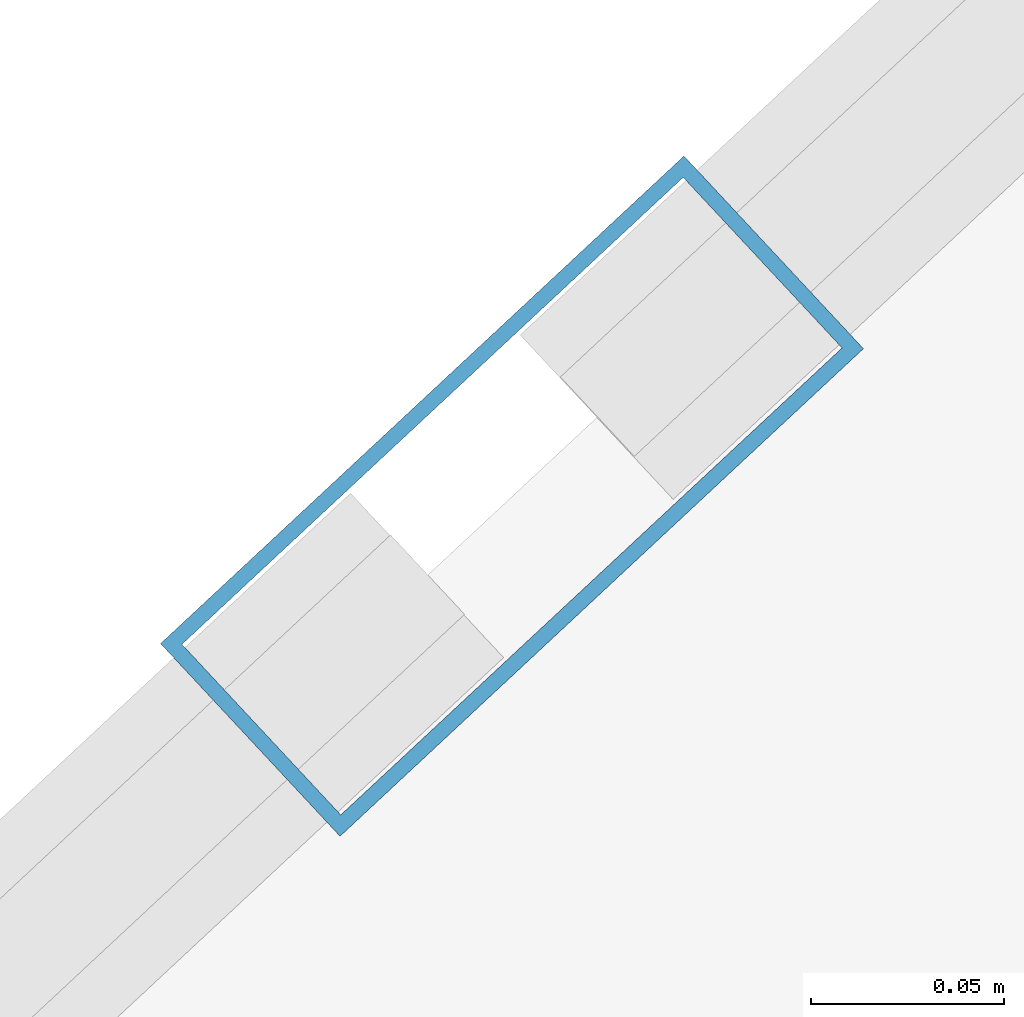
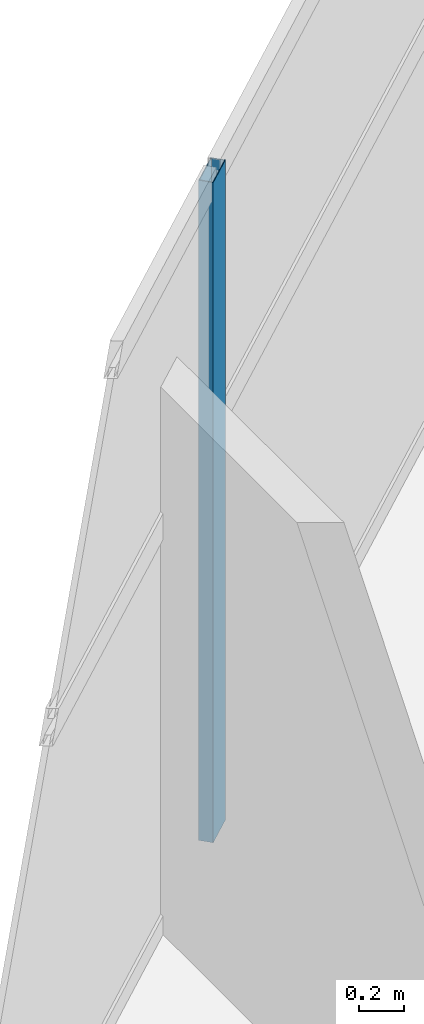
# One storey, part 12 of 27: 1 member, 1 element without a shape of its own.
"""IFC4 building model written with IfcOpenShell, lengths in metres."""

from ifc_helpers import new_model, si_unit, direction, frame, origin, origin_2d, place, context, subcontext, project, spatial, hollow_rectangle, extrude, material, layer, layer_set, material_profile, profile_set, type_object, element, aggregate, save


model = new_model("IFC4")

# Units and contexts
model_context = context("Model", 3, precision=1e-05, world=origin(), true_north=direction((0.0, 1.0)))
body_context = subcontext(model_context, "Body", "Model", "MODEL_VIEW")
ifc_project = project(units=[si_unit("LENGTHUNIT", "METRE"), si_unit("AREAUNIT", "SQUARE_METRE"), si_unit("VOLUMEUNIT", "CUBIC_METRE"), si_unit("PLANEANGLEUNIT", "RADIAN"), si_unit("MASSUNIT", "GRAM", prefix="KILO")], contexts=[model_context])

# Site, building, storey
site_placement = place(None, origin())
site = spatial("IfcSite", under=ifc_project, at=site_placement, CompositionType="ELEMENT")
building_placement = place(site_placement, origin())
building = spatial("IfcBuilding", under=site, at=building_placement, Name="Calvorn Quay Hotel", CompositionType="ELEMENT")
storey_placement = place(building_placement, frame((0.0, 0.0, 226.89990234375)))
storey = spatial("IfcBuildingStorey", under=building, at=storey_placement, Name="L56", CompositionType="ELEMENT", Elevation=226.89990234375)

# Curtain wall, member
ifc_material_1 = material(Name="Champagne Bronze Anodised Aluminium and Low-E Glass", Category="aluminium")
ifc_layer = layer(ifc_material_1, 0.219970703125)
ifc_layer_set = layer_set([ifc_layer], Name="CW-SYS-Z3")
curtain_wall_type = type_object("IfcCurtainWallType", Name="CW-SYS-Z3", PredefinedType="NOTDEFINED", material=ifc_layer_set)
curtain_wall_placement = place(storey_placement, origin())
curtain_wall = element("IfcCurtainWall", 1, at=curtain_wall_placement, inside=storey, type_object=curtain_wall_type, Name="Inner Court Curtain Wall L56-NE1", PredefinedType="NOTDEFINED")
ifc_material_2 = material(Name="Champagne Bronze Anodised Aluminium 6063-T6", Category="aluminium")
ifc_material_profile = material_profile(ifc_material_2, hollow_rectangle(XDim=0.068115234375, YDim=0.18505859375, WallThickness=0.00390625, at=origin_2d()), Name="ALU-M185x68x4")
ifc_profile_set = profile_set([ifc_material_profile], Name="Champagne Bronze Anodised Aluminium 6063-T6")
member_type = type_object("IfcMemberType", Name="CW-SYS-Z3-MUL", PredefinedType="MULLION", material=ifc_profile_set)
member_placement = place(storey_placement, frame((28.89990234375, 31.199951171875, 0.0), z_axis=(0.0, 0.0, 1.0), x_axis=(0.681603655102, -0.731721570922, 0.0)))
member = element("IfcMember", 2, at=member_placement, type_object=member_type, Name="CW-L56-NE1 mullion 2", PredefinedType="MULLION", context=body_context, shape_type="SweptSolid", body=[
    extrude(hollow_rectangle(XDim=0.068115234375, YDim=0.18505859375, WallThickness=0.00390625, at=origin_2d()), origin(), (0.0, 0.0, 1.0), 3.56005859375),
])
aggregate(curtain_wall, [member])

save(model, "model.ifc")
